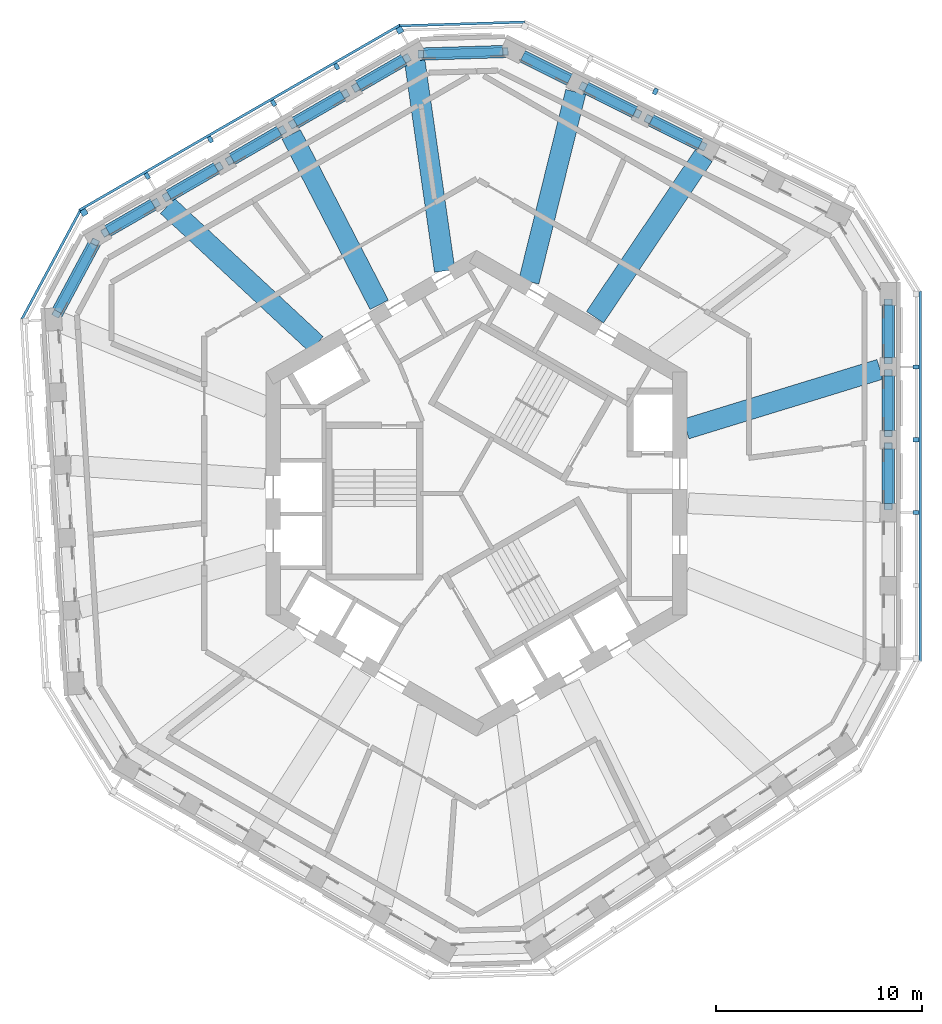
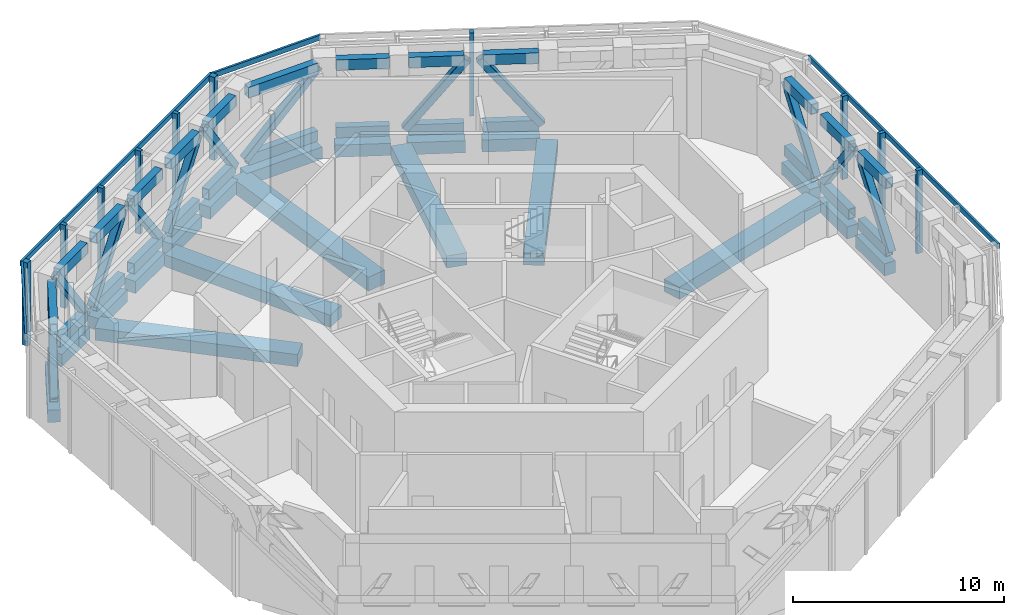
# One storey, part 3 of 14: 52 members, 19 beams, 5 elements without a shape of their own.
"""IFC4 building model written with IfcOpenShell, lengths in metres."""

from ifc_helpers import new_model, si_unit, direction, frame, origin, origin_2d, place, context, subcontext, project, spatial, rectangle, hollow_rectangle, extrude, material, material_profile, profile_set, type_object, element, aggregate, save


model = new_model("IFC4")

# Units and contexts
model_context = context("Model", 3, precision=1e-05, world=origin(), true_north=direction((0.0, 1.0)))
body_context = subcontext(model_context, "Body", "Model", "MODEL_VIEW")
ifc_project = project(units=[si_unit("LENGTHUNIT", "METRE"), si_unit("AREAUNIT", "SQUARE_METRE"), si_unit("VOLUMEUNIT", "CUBIC_METRE"), si_unit("PLANEANGLEUNIT", "RADIAN"), si_unit("MASSUNIT", "GRAM", prefix="KILO")], contexts=[model_context])

# Site, building, storey
site_placement = place(None, origin())
site = spatial("IfcSite", under=ifc_project, at=site_placement, CompositionType="ELEMENT")
building_placement = place(site_placement, origin())
building = spatial("IfcBuilding", under=site, at=building_placement, Name="Vanh Sen Convention Tower", CompositionType="ELEMENT")
storey_placement = place(building_placement, frame((0.0, 0.0, 255.0)))
storey = spatial("IfcBuildingStorey", under=building, at=storey_placement, Name="L63", CompositionType="ELEMENT", Elevation=255.0)

# Members
ifc_material_1 = material(Name="Steel S460", Category="steel")
ifc_material_profile_1 = material_profile(ifc_material_1, hollow_rectangle(XDim=0.39990234375, YDim=0.60009765625, WallThickness=0.030029296875, at=origin_2d()), Name="BOX 600X400X30")
ifc_profile_set_1 = profile_set([ifc_material_profile_1], Name="Steel S460")
member_type_1 = type_object("IfcMemberType", Name="Belt truss chord BOX 600X400X30", PredefinedType="CHORD", material=ifc_profile_set_1)
for number, where, z_axis, x_axis, name in (
    (1, (19.949951171875, -0.490478515625, 0.300048828125), (0.0, 1.0, 0.0), (-1.0, 0.0, 0.0), "BELT TRUSS chord bottom 03 L63"),
    (2, (19.949951171875, -0.490478515625, 4.199951171875), (0.0, 1.0, 0.0), (-1.0, 0.0, 0.0), "BELT TRUSS chord top 03 L63"),
    (3, (19.949951171875, 3.043212890625, 0.300048828125), (0.0, 1.0, 0.0), (-1.0, 0.0, 0.0), "BELT TRUSS chord bottom 04 L63"),
    (4, (19.949951171875, 3.043212890625, 4.199951171875), (0.0, 1.0, 0.0), (-1.0, 0.0, 0.0), "BELT TRUSS chord top 04 L63"),
):
    element("IfcMember", number, at=place(storey_placement, frame(where, z_axis=z_axis, x_axis=x_axis)), inside=storey, type_object=member_type_1, Name=name, PredefinedType="CHORD", context=body_context, shape_type="SweptSolid", body=[
        extrude(hollow_rectangle(XDim=0.39990234375, YDim=0.60009765625, WallThickness=0.030029296875, at=origin_2d()), origin(), (0.0, 0.0, 1.0), 2.6435546875),
    ])
for number, where, z_axis, x_axis, name in (
    (5, (19.949951171875, 6.57666015625, 0.300048828125), (0.0, 1.0, 0.0), (-1.0, 0.0, 0.0), "BELT TRUSS chord bottom 05 L63"),
    (6, (19.949951171875, 6.57666015625, 4.199951171875), (0.0, 1.0, 0.0), (-1.0, 0.0, 0.0), "BELT TRUSS chord top 05 L63"),
):
    element("IfcMember", number, at=place(storey_placement, frame(where, z_axis=z_axis, x_axis=x_axis)), inside=storey, type_object=member_type_1, Name=name, PredefinedType="CHORD", context=body_context, shape_type="SweptSolid", body=[
        extrude(hollow_rectangle(XDim=0.39990234375, YDim=0.60009765625, WallThickness=0.030029296875, at=origin_2d()), origin(), (0.0, 0.0, 1.0), 2.543701171875),
    ])
for number, where, z_axis, x_axis, name in (
    (7, (10.82861328125, 16.893310546875, 0.300048828125), (-0.894925303477, 0.446215980436, 0.0), (-0.446215980436, -0.894925303477, 0.0), "BELT TRUSS chord bottom 09 L63"),
    (8, (10.82861328125, 16.893310546875, 4.199951171875), (-0.894925303477, 0.446215980436, 0.0), (-0.446215980436, -0.894925303477, 0.0), "BELT TRUSS chord top 09 L63"),
    (9, (7.666259765625, 18.469970703125, 0.300048828125), (-0.894925303477, 0.446215980436, 0.0), (-0.446215980436, -0.894925303477, 0.0), "BELT TRUSS chord bottom 10 L63"),
    (10, (7.666259765625, 18.469970703125, 4.199951171875), (-0.894925303477, 0.446215980436, 0.0), (-0.446215980436, -0.894925303477, 0.0), "BELT TRUSS chord top 10 L63"),
):
    element("IfcMember", number, at=place(storey_placement, frame(where, z_axis=z_axis, x_axis=x_axis)), inside=storey, type_object=member_type_1, Name=name, PredefinedType="CHORD", context=body_context, shape_type="SweptSolid", body=[
        extrude(hollow_rectangle(XDim=0.39990234375, YDim=0.60009765625, WallThickness=0.030029296875, at=origin_2d()), origin(), (0.0, 0.0, 1.0), 2.643798828125),
    ])
for number, where, z_axis, x_axis, name in (
    (11, (4.50390625, 20.046630859375, 0.300048828125), (-0.894944842666, 0.44617679073, 0.0), (-0.44617679073, -0.894944842666, 0.0), "BELT TRUSS chord bottom 11 L63"),
    (12, (4.50390625, 20.046630859375, 4.199951171875), (-0.894944842666, 0.44617679073, 0.0), (-0.44617679073, -0.894944842666, 0.0), "BELT TRUSS chord top 11 L63"),
):
    element("IfcMember", number, at=place(storey_placement, frame(where, z_axis=z_axis, x_axis=x_axis)), inside=storey, type_object=member_type_1, Name=name, PredefinedType="CHORD", context=body_context, shape_type="SweptSolid", body=[
        extrude(hollow_rectangle(XDim=0.39990234375, YDim=0.60009765625, WallThickness=0.030029296875, at=origin_2d()), origin(), (0.0, 0.0, 1.0), 2.5439453125),
    ])
for number, where, z_axis, x_axis, name in (
    (13, (1.27197265625, 21.410400390625, 0.300048828125), (-0.9995348756, -0.030496433566, 0.0), (0.030496433566, -0.9995348756, 0.0), "BELT TRUSS chord bottom 12 L63"),
    (14, (1.27197265625, 21.410400390625, 4.199951171875), (-0.9995348756, -0.030496433566, 0.0), (0.030496433566, -0.9995348756, 0.0), "BELT TRUSS chord top 12 L63"),
):
    element("IfcMember", number, at=place(storey_placement, frame(where, z_axis=z_axis, x_axis=x_axis)), inside=storey, type_object=member_type_1, Name=name, PredefinedType="CHORD", context=body_context, shape_type="SweptSolid", body=[
        extrude(hollow_rectangle(XDim=0.39990234375, YDim=0.60009765625, WallThickness=0.030029296875, at=origin_2d()), origin(), (0.0, 0.0, 1.0), 3.8505859375),
    ])
for number, where, z_axis, x_axis, name in (
    (15, (-3.516357421875, 21.006103515625, 0.300048828125), (-0.866043336059, -0.499968939103, 0.0), (0.499968939103, -0.866043336059, 0.0), "BELT TRUSS chord bottom 13 L63"),
    (16, (-3.516357421875, 21.006103515625, 4.199951171875), (-0.866043336059, -0.499968939103, 0.0), (0.499968939103, -0.866043336059, 0.0), "BELT TRUSS chord top 13 L63"),
):
    element("IfcMember", number, at=place(storey_placement, frame(where, z_axis=z_axis, x_axis=x_axis)), inside=storey, type_object=member_type_1, Name=name, PredefinedType="CHORD", context=body_context, shape_type="SweptSolid", body=[
        extrude(hollow_rectangle(XDim=0.39990234375, YDim=0.60009765625, WallThickness=0.030029296875, at=origin_2d()), origin(), (0.0, 0.0, 1.0), 2.543701171875),
    ])
for number, where, z_axis, x_axis, name in (
    (17, (-6.489990234375, 19.289306640625, 0.300048828125), (-0.866017944311, -0.500012919964, 0.0), (0.500012919964, -0.866017944311, 0.0), "BELT TRUSS chord bottom 14 L63"),
    (18, (-6.489990234375, 19.289306640625, 4.199951171875), (-0.866017944311, -0.500012919964, 0.0), (0.500012919964, -0.866017944311, 0.0), "BELT TRUSS chord top 14 L63"),
    (19, (-9.55029296875, 17.5224609375, 0.300048828125), (-0.866017944311, -0.500012919964, 0.0), (0.500012919964, -0.866017944311, 0.0), "BELT TRUSS chord bottom 15 L63"),
    (20, (-9.55029296875, 17.5224609375, 4.199951171875), (-0.866017944311, -0.500012919964, 0.0), (0.500012919964, -0.866017944311, 0.0), "BELT TRUSS chord top 15 L63"),
):
    element("IfcMember", number, at=place(storey_placement, frame(where, z_axis=z_axis, x_axis=x_axis)), inside=storey, type_object=member_type_1, Name=name, PredefinedType="CHORD", context=body_context, shape_type="SweptSolid", body=[
        extrude(hollow_rectangle(XDim=0.39990234375, YDim=0.60009765625, WallThickness=0.030029296875, at=origin_2d()), origin(), (0.0, 0.0, 1.0), 2.6435546875),
    ])
for number, where, z_axis, x_axis, name in (
    (21, (-12.6103515625, 15.755615234375, 0.300048828125), (-0.866041031621, -0.499972930816, 0.0), (0.499972930816, -0.866041031621, 0.0), "BELT TRUSS chord bottom 16 L63"),
    (22, (-12.6103515625, 15.755615234375, 4.199951171875), (-0.866041031621, -0.499972930816, 0.0), (0.499972930816, -0.866041031621, 0.0), "BELT TRUSS chord top 16 L63"),
):
    element("IfcMember", number, at=place(storey_placement, frame(where, z_axis=z_axis, x_axis=x_axis)), inside=storey, type_object=member_type_1, Name=name, PredefinedType="CHORD", context=body_context, shape_type="SweptSolid", body=[
        extrude(hollow_rectangle(XDim=0.39990234375, YDim=0.60009765625, WallThickness=0.030029296875, at=origin_2d()), origin(), (0.0, 0.0, 1.0), 2.643798828125),
    ])
for number, where, z_axis, x_axis, name in (
    (23, (-15.670654296875, 13.98876953125, 0.300048828125), (-0.866043336059, -0.499968939103, 0.0), (0.499968939103, -0.866043336059, 0.0), "BELT TRUSS chord bottom 17 L63"),
    (24, (-15.670654296875, 13.98876953125, 4.199951171875), (-0.866043336059, -0.499968939103, 0.0), (0.499968939103, -0.866043336059, 0.0), "BELT TRUSS chord top 17 L63"),
):
    element("IfcMember", number, at=place(storey_placement, frame(where, z_axis=z_axis, x_axis=x_axis)), inside=storey, type_object=member_type_1, Name=name, PredefinedType="CHORD", context=body_context, shape_type="SweptSolid", body=[
        extrude(hollow_rectangle(XDim=0.39990234375, YDim=0.60009765625, WallThickness=0.030029296875, at=origin_2d()), origin(), (0.0, 0.0, 1.0), 2.543701171875),
    ])
for number, where, z_axis, x_axis, name in (
    (25, (-18.5498046875, 12.06396484375, 0.300048828125), (-0.473323254659, -0.880888810577, 0.0), (0.880888810577, -0.473323254659, 0.0), "BELT TRUSS chord bottom 18 L63"),
    (26, (-18.5498046875, 12.06396484375, 4.199951171875), (-0.473323254659, -0.880888810577, 0.0), (0.880888810577, -0.473323254659, 0.0), "BELT TRUSS chord top 18 L63"),
):
    element("IfcMember", number, at=place(storey_placement, frame(where, z_axis=z_axis, x_axis=x_axis)), inside=storey, type_object=member_type_1, Name=name, PredefinedType="CHORD", context=body_context, shape_type="SweptSolid", body=[
        extrude(hollow_rectangle(XDim=0.39990234375, YDim=0.60009765625, WallThickness=0.030029296875, at=origin_2d()), origin(), (0.0, 0.0, 1.0), 3.694091796875),
    ])
ifc_material_2 = material(Name="Steel S355", Category="steel")
ifc_material_profile_2 = material_profile(ifc_material_2, hollow_rectangle(XDim=0.39990234375, YDim=0.39990234375, WallThickness=0.01611328125, InnerFilletRadius=0.01611328125, OuterFilletRadius=0.031982421875, at=origin_2d()), Name="SHS 400X400X16")
ifc_profile_set_2 = profile_set([ifc_material_profile_2], Name="Steel S355")
member_type_2 = type_object("IfcMemberType", Name="Belt truss diagonal SHS 400X400X16", PredefinedType="BRACE", material=ifc_profile_set_2)
for number, where, z_axis, x_axis, name in (
    (27, (19.949951171875, -0.638671875, 0.300048828125), (0.0, 0.601965746511, 0.798521909547), (-1.0, 0.0, 0.0), "BELT TRUSS diagonal 03 L63"),
    (28, (19.949951171875, 2.89501953125, 4.199951171875), (0.0, 0.601965746511, -0.798521909547), (-1.0, 0.0, 0.0), "BELT TRUSS diagonal 04 L63"),
):
    element("IfcMember", number, at=place(storey_placement, frame(where, z_axis=z_axis, x_axis=x_axis)), inside=storey, type_object=member_type_2, Name=name, PredefinedType="BRACE", context=body_context, shape_type="SweptSolid", body=[
        extrude(hollow_rectangle(XDim=0.39990234375, YDim=0.39990234375, WallThickness=0.01611328125, InnerFilletRadius=0.01611328125, OuterFilletRadius=0.031982421875, at=origin_2d()), origin(), (0.0, 0.0, 1.0), 4.8837890625),
    ])
member_1_placement = place(storey_placement, frame((19.949951171875, 6.428466796875, 0.300048828125), z_axis=(0.0, 0.588686106772, 0.80836171835), x_axis=(-1.0, 0.0, 0.0)))
element("IfcMember", 29, at=member_1_placement, inside=storey, type_object=member_type_2, Name="BELT TRUSS diagonal 05 L63", PredefinedType="BRACE", context=body_context, shape_type="SweptSolid", body=[
    extrude(hollow_rectangle(XDim=0.39990234375, YDim=0.39990234375, WallThickness=0.01611328125, InnerFilletRadius=0.01611328125, OuterFilletRadius=0.031982421875, at=origin_2d()), origin(), (0.0, 0.0, 1.0), 4.824462890625),
])
for number, where, z_axis, x_axis, name in (
    (30, (10.961181640625, 16.8271484375, 0.300048828125), (-0.538727767109, 0.268589059356, 0.798518822659), (-0.446183580836, -0.894941457411, 0.0), "BELT TRUSS diagonal 09 L63"),
    (31, (7.798828125, 18.40380859375, 4.199951171875), (-0.538756012453, 0.268628206617, -0.798486597042), (-0.446216927397, -0.894924831315, 0.0), "BELT TRUSS diagonal 10 L63"),
):
    element("IfcMember", number, at=place(storey_placement, frame(where, z_axis=z_axis, x_axis=x_axis)), inside=storey, type_object=member_type_2, Name=name, PredefinedType="BRACE", context=body_context, shape_type="SweptSolid", body=[
        extrude(hollow_rectangle(XDim=0.39990234375, YDim=0.39990234375, WallThickness=0.01611328125, InnerFilletRadius=0.01611328125, OuterFilletRadius=0.031982421875, at=origin_2d()), origin(), (0.0, 0.0, 1.0), 4.884033203125),
    ])
member_2_placement = place(storey_placement, frame((1.398193359375, 21.414306640625, 4.199951171875), z_axis=(-0.724479446583, -0.022125131331, -0.688941223939), x_axis=(0.030525118585, -0.99953399999, 0.0)))
element("IfcMember", 32, at=member_2_placement, inside=storey, type_object=member_type_2, Name="BELT TRUSS diagonal 12 L63", PredefinedType="BRACE", context=body_context, shape_type="SweptSolid", body=[
    extrude(hollow_rectangle(XDim=0.39990234375, YDim=0.39990234375, WallThickness=0.01611328125, InnerFilletRadius=0.01611328125, OuterFilletRadius=0.031982421875, at=origin_2d()), origin(), (0.0, 0.0, 1.0), 5.66064453125),
])
member_3_placement = place(storey_placement, frame((-3.387939453125, 21.080078125, 0.300048828125), z_axis=(-0.509840637374, -0.294315945109, 0.808356758453), x_axis=(0.49994816717, -0.866055327414, 0.0)))
element("IfcMember", 33, at=member_3_placement, inside=storey, type_object=member_type_2, Name="BELT TRUSS diagonal 13 L63", PredefinedType="BRACE", context=body_context, shape_type="SweptSolid", body=[
    extrude(hollow_rectangle(XDim=0.39990234375, YDim=0.39990234375, WallThickness=0.01611328125, InnerFilletRadius=0.01611328125, OuterFilletRadius=0.031982421875, at=origin_2d()), origin(), (0.0, 0.0, 1.0), 4.824462890625),
])
for number, where, z_axis, x_axis, name in (
    (34, (-6.361572265625, 19.36328125, 4.199951171875), (-0.521329353584, -0.300980346911, -0.798515207034), (0.499988418424, -0.866032090307, 0.0), "BELT TRUSS diagonal 14 L63"),
    (35, (-9.421875, 17.5966796875, 0.300048828125), (-0.521329353584, -0.300980346911, 0.798515207034), (0.499988418424, -0.866032090307, 0.0), "BELT TRUSS diagonal 15 L63"),
    (36, (-12.48193359375, 15.829833984375, 4.199951171875), (-0.52135791023, -0.301017961209, -0.798482383319), (0.50001473959, -0.866016893711, 0.0), "BELT TRUSS diagonal 16 L63"),
):
    element("IfcMember", number, at=place(storey_placement, frame(where, z_axis=z_axis, x_axis=x_axis)), inside=storey, type_object=member_type_2, Name=name, PredefinedType="BRACE", context=body_context, shape_type="SweptSolid", body=[
        extrude(hollow_rectangle(XDim=0.39990234375, YDim=0.39990234375, WallThickness=0.01611328125, InnerFilletRadius=0.01611328125, OuterFilletRadius=0.031982421875, at=origin_2d()), origin(), (0.0, 0.0, 1.0), 4.884033203125),
    ])
member_4_placement = place(storey_placement, frame((-15.542236328125, 14.06298828125, 0.300048828125), z_axis=(-0.509833043467, -0.294362165146, 0.808344718248), x_axis=(0.500012638089, -0.866018107057, 0.0)))
element("IfcMember", 37, at=member_4_placement, inside=storey, type_object=member_type_2, Name="BELT TRUSS diagonal 17 L63", PredefinedType="BRACE", context=body_context, shape_type="SweptSolid", body=[
    extrude(hollow_rectangle(XDim=0.39990234375, YDim=0.39990234375, WallThickness=0.01611328125, InnerFilletRadius=0.01611328125, OuterFilletRadius=0.031982421875, at=origin_2d()), origin(), (0.0, 0.0, 1.0), 4.824462890625),
])
member_5_placement = place(storey_placement, frame((-18.48828125, 12.1787109375, 4.199951171875), z_axis=(-0.336983455339, -0.627195400571, -0.702188066212), x_axis=(0.880902912427, -0.473297009158, 0.0)))
element("IfcMember", 38, at=member_5_placement, inside=storey, type_object=member_type_2, Name="BELT TRUSS diagonal 18 L63", PredefinedType="BRACE", context=body_context, shape_type="SweptSolid", body=[
    extrude(hollow_rectangle(XDim=0.39990234375, YDim=0.39990234375, WallThickness=0.01611328125, InnerFilletRadius=0.01611328125, OuterFilletRadius=0.031982421875, at=origin_2d()), origin(), (0.0, 0.0, 1.0), 5.553955078125),
])

# Curtain wall, members
ifc_material_3 = material(Name="Concrete C50/60", Category="concrete")
curtain_wall_type = type_object("IfcCurtainWallType", Name="Outer skin office zone", PredefinedType="NOTDEFINED", material=ifc_material_3)
curtain_wall_1_placement = place(storey_placement, origin())
curtain_wall_1 = element("IfcCurtainWall", 39, at=curtain_wall_1_placement, inside=storey, type_object=curtain_wall_type, Name="OUTER SKIN NW L63", PredefinedType="NOTDEFINED")
ifc_material_profile_3 = material_profile(ifc_material_3, rectangle(XDim=0.300048828125, YDim=0.300048828125, at=origin_2d()), Name="Outer skin precast corner fin 300 x 300")
ifc_profile_set_3 = profile_set([ifc_material_profile_3], Name="Concrete C50/60")
member_type_3 = type_object("IfcMemberType", Name="Outer skin precast corner fin 300 x 300", PredefinedType="MULLION", material=ifc_profile_set_3)
member_6_placement = place(storey_placement, frame((-3.719482421875, 22.44775390625, 0.0), z_axis=(0.0, 0.0, 1.0), x_axis=(-0.866025403784, -0.5, 0.0)))
member_6 = element("IfcMember", 40, at=member_6_placement, type_object=member_type_3, Name="OUTER SKIN CORNER FIN 1 NW L63", PredefinedType="MULLION", context=body_context, shape_type="SweptSolid", body=[
    extrude(rectangle(XDim=0.300048828125, YDim=0.300048828125, at=origin_2d()), origin(), (0.0, 0.0, 1.0), 4.800048828125),
])
member_7_placement = place(storey_placement, frame((-19.0205078125, 13.613525390625, 0.0), z_axis=(0.0, 0.0, 1.0), x_axis=(-0.866025403784, -0.5, 0.0)))
member_7 = element("IfcMember", 41, at=member_7_placement, type_object=member_type_3, Name="OUTER SKIN CORNER FIN 6 NW L63", PredefinedType="MULLION", context=body_context, shape_type="SweptSolid", body=[
    extrude(rectangle(XDim=0.300048828125, YDim=0.300048828125, at=origin_2d()), origin(), (0.0, 0.0, 1.0), 4.800048828125),
])

curtain_wall_2_placement = place(storey_placement, origin())
curtain_wall_2 = element("IfcCurtainWall", 42, at=curtain_wall_2_placement, inside=storey, type_object=curtain_wall_type, Name="OUTER SKIN E L63", PredefinedType="NOTDEFINED")
ifc_material_profile_4 = material_profile(ifc_material_3, rectangle(XDim=0.199951171875, YDim=0.300048828125, at=origin_2d()), Name="Outer skin precast fin 200 x 300")
ifc_profile_set_4 = profile_set([ifc_material_profile_4], Name="Concrete C50/60")
member_type_4 = type_object("IfcMemberType", Name="Outer skin precast fin 200 x 300", PredefinedType="MULLION", material=ifc_profile_set_4)
member_8_placement = place(storey_placement, frame((21.300048828125, -0.935546875, 0.0), z_axis=(0.0, 0.0, 1.0), x_axis=(0.0, 1.0, 0.0)))
member_8 = element("IfcMember", 43, at=member_8_placement, type_object=member_type_4, Name="OUTER SKIN fin 3 E L63", PredefinedType="MULLION", context=body_context, shape_type="SweptSolid", body=[
    extrude(rectangle(XDim=0.199951171875, YDim=0.300048828125, at=origin_2d()), origin(), (0.0, 0.0, 1.0), 4.800048828125),
])
member_9_placement = place(storey_placement, frame((21.300048828125, 2.59814453125, 0.0), z_axis=(0.0, 0.0, 1.0), x_axis=(0.0, 1.0, 0.0)))
member_9 = element("IfcMember", 44, at=member_9_placement, type_object=member_type_4, Name="OUTER SKIN fin 4 E L63", PredefinedType="MULLION", context=body_context, shape_type="SweptSolid", body=[
    extrude(rectangle(XDim=0.199951171875, YDim=0.300048828125, at=origin_2d()), origin(), (0.0, 0.0, 1.0), 4.800048828125),
])
member_10_placement = place(storey_placement, frame((21.300048828125, 6.131591796875, 0.0), z_axis=(0.0, 0.0, 1.0), x_axis=(0.0, 1.0, 0.0)))
member_10 = element("IfcMember", 45, at=member_10_placement, type_object=member_type_4, Name="OUTER SKIN fin 5 E L63", PredefinedType="MULLION", context=body_context, shape_type="SweptSolid", body=[
    extrude(rectangle(XDim=0.199951171875, YDim=0.300048828125, at=origin_2d()), origin(), (0.0, 0.0, 1.0), 4.800048828125),
])

# Curtain wall, member
curtain_wall_3_placement = place(storey_placement, origin())
curtain_wall_3 = element("IfcCurtainWall", 46, at=curtain_wall_3_placement, inside=storey, type_object=curtain_wall_type, Name="OUTER SKIN NE L63", PredefinedType="NOTDEFINED")
member_11_placement = place(storey_placement, frame((8.666748046875, 19.4794921875, 0.0), z_axis=(0.0, 0.0, 1.0), x_axis=(-0.894934361602, 0.44619781311, 0.0)))
member_11 = element("IfcMember", 47, at=member_11_placement, type_object=member_type_4, Name="OUTER SKIN fin 4 NE L63", PredefinedType="MULLION", context=body_context, shape_type="SweptSolid", body=[
    extrude(rectangle(XDim=0.199951171875, YDim=0.300048828125, at=origin_2d()), origin(), (0.0, 0.0, 1.0), 4.800048828125),
])
aggregate(curtain_wall_3, [member_11])

# Member
member_12_placement = place(storey_placement, frame((-6.779541015625, 20.680908203125, 0.0), z_axis=(0.0, 0.0, 1.0), x_axis=(-0.866025403784, -0.5, 0.0)))
member_12 = element("IfcMember", 48, at=member_12_placement, type_object=member_type_4, Name="OUTER SKIN fin 2 NW L63", PredefinedType="MULLION", context=body_context, shape_type="SweptSolid", body=[
    extrude(rectangle(XDim=0.199951171875, YDim=0.300048828125, at=origin_2d()), origin(), (0.0, 0.0, 1.0), 4.800048828125),
])

member_13_placement = place(storey_placement, frame((-9.83984375, 18.9140625, 0.0), z_axis=(0.0, 0.0, 1.0), x_axis=(-0.866025403784, -0.5, 0.0)))
member_13 = element("IfcMember", 49, at=member_13_placement, type_object=member_type_4, Name="OUTER SKIN fin 3 NW L63", PredefinedType="MULLION", context=body_context, shape_type="SweptSolid", body=[
    extrude(rectangle(XDim=0.199951171875, YDim=0.300048828125, at=origin_2d()), origin(), (0.0, 0.0, 1.0), 4.800048828125),
])

member_14_placement = place(storey_placement, frame((-12.89990234375, 17.147216796875, 0.0), z_axis=(0.0, 0.0, 1.0), x_axis=(-0.866025403784, -0.5, 0.0)))
member_14 = element("IfcMember", 50, at=member_14_placement, type_object=member_type_4, Name="OUTER SKIN fin 4 NW L63", PredefinedType="MULLION", context=body_context, shape_type="SweptSolid", body=[
    extrude(rectangle(XDim=0.199951171875, YDim=0.300048828125, at=origin_2d()), origin(), (0.0, 0.0, 1.0), 4.800048828125),
])

member_15_placement = place(storey_placement, frame((-15.960205078125, 15.38037109375, 0.0), z_axis=(0.0, 0.0, 1.0), x_axis=(-0.866025403784, -0.5, 0.0)))
member_15 = element("IfcMember", 51, at=member_15_placement, type_object=member_type_4, Name="OUTER SKIN fin 5 NW L63", PredefinedType="MULLION", context=body_context, shape_type="SweptSolid", body=[
    extrude(rectangle(XDim=0.199951171875, YDim=0.300048828125, at=origin_2d()), origin(), (0.0, 0.0, 1.0), 4.800048828125),
])

ifc_material_profile_5 = material_profile(ifc_material_3, rectangle(XDim=0.1201171875, YDim=0.300048828125, at=origin_2d()), Name="Outer skin precast spandrel band 300 x 120")
ifc_profile_set_5 = profile_set([ifc_material_profile_5], Name="Concrete C50/60")
member_type_5 = type_object("IfcMemberType", Name="Outer skin precast spandrel band 300 x 120", PredefinedType="USERDEFINED", material=ifc_profile_set_5)
member_16_placement = place(storey_placement, frame((21.510009765625, -8.15283203125, 4.64990234375), z_axis=(0.0, 1.0, 0.0), x_axis=(-1.0, 0.0, 0.0)))
member_16 = element("IfcMember", 52, at=member_16_placement, type_object=member_type_5, Name="OUTER SKIN spandrel band E L63", ObjectType="TRANSOM", PredefinedType="USERDEFINED", context=body_context, shape_type="SweptSolid", body=[
    extrude(rectangle(XDim=0.1201171875, YDim=0.300048828125, at=origin_2d()), origin(), (0.0, 0.0, 1.0), 17.96826171875),
])

aggregate(curtain_wall_2, [member_8, member_9, member_10, member_16])

# Curtain wall, member
curtain_wall_4_placement = place(storey_placement, origin())
curtain_wall_4 = element("IfcCurtainWall", 53, at=curtain_wall_4_placement, inside=storey, type_object=curtain_wall_type, Name="OUTER SKIN CH2 L63", PredefinedType="NOTDEFINED")
member_17_placement = place(storey_placement, frame((2.335693359375, 22.843017578125, 4.64990234375), z_axis=(-0.999533054911, -0.030556049165, 0.0), x_axis=(0.030556049165, -0.999533054911, 0.0)))
member_17 = element("IfcMember", 54, at=member_17_placement, type_object=member_type_5, Name="OUTER SKIN spandrel band CH2 L63", ObjectType="TRANSOM", PredefinedType="USERDEFINED", context=body_context, shape_type="SweptSolid", body=[
    extrude(rectangle(XDim=0.1201171875, YDim=0.300048828125, at=origin_2d()), origin(), (0.0, 0.0, 1.0), 6.064453125),
])
aggregate(curtain_wall_4, [member_17])

# Member
member_18_placement = place(storey_placement, frame((-3.694580078125, 22.70458984375, 4.64990234375), z_axis=(-0.866022898019, -0.500004340088, 0.0), x_axis=(0.500004340088, -0.866022898019, 0.0)))
member_18 = element("IfcMember", 55, at=member_18_placement, type_object=member_type_5, Name="OUTER SKIN spandrel band NW L63", ObjectType="TRANSOM", PredefinedType="USERDEFINED", context=body_context, shape_type="SweptSolid", body=[
    extrude(rectangle(XDim=0.1201171875, YDim=0.300048828125, at=origin_2d()), origin(), (0.0, 0.0, 1.0), 17.968017578125),
])

aggregate(curtain_wall_1, [member_6, member_12, member_13, member_14, member_15, member_7, member_18])

# Curtain wall, member
curtain_wall_5_placement = place(storey_placement, origin())
curtain_wall_5 = element("IfcCurtainWall", 56, at=curtain_wall_5_placement, inside=storey, type_object=curtain_wall_type, Name="OUTER SKIN CH3 L63", PredefinedType="NOTDEFINED")
member_19_placement = place(storey_placement, frame((-19.20556640625, 13.712890625, 4.64990234375), z_axis=(-0.473317965247, -0.880891652688, 0.0), x_axis=(0.880891652688, -0.473317965247, 0.0)))
member_19 = element("IfcMember", 57, at=member_19_placement, type_object=member_type_5, Name="OUTER SKIN spandrel band CH3 L63", ObjectType="TRANSOM", PredefinedType="USERDEFINED", context=body_context, shape_type="SweptSolid", body=[
    extrude(rectangle(XDim=0.1201171875, YDim=0.300048828125, at=origin_2d()), origin(), (0.0, 0.0, 1.0), 5.978759765625),
])
aggregate(curtain_wall_5, [member_19])

# Beams
ifc_material_4 = material(Name="Concrete C50/60", Category="concrete")
ifc_material_profile_6 = material_profile(ifc_material_4, rectangle(XDim=1.0, YDim=0.699951171875, at=origin_2d()), Name="RC 1000X700")
ifc_profile_set_6 = profile_set([ifc_material_profile_6], Name="Concrete C50/60")
beam_type_1 = type_object("IfcBeamType", Name="Radial floor beam 1000 x 700", PredefinedType="BEAM", material=ifc_profile_set_6)
beam_1_placement = place(storey_placement, frame((19.5546875, 6.01025390625, -0.699951171875), z_axis=(-0.955870153011, -0.293789466427, 0.0), x_axis=(0.293789466427, -0.955870153011, 0.0)))
element("IfcBeam", 58, at=beam_1_placement, inside=storey, type_object=beam_type_1, Name="Radial beam 03 L63", PredefinedType="BEAM", context=body_context, shape_type="SweptSolid", body=[
    extrude(rectangle(XDim=1.0, YDim=0.699951171875, at=origin_2d()), origin(), (0.0, 0.0, 1.0), 9.8408203125),
])
beam_2_placement = place(storey_placement, frame((11.00439453125, 16.364013671875, -0.699951171875), z_axis=(-0.558039679055, -0.829814266327, 0.0), x_axis=(0.829814266327, -0.558039679055, 0.0)))
element("IfcBeam", 59, at=beam_2_placement, inside=storey, type_object=beam_type_1, Name="Radial beam 05 L63", PredefinedType="BEAM", context=body_context, shape_type="SweptSolid", body=[
    extrude(rectangle(XDim=1.0, YDim=0.699951171875, at=origin_2d()), origin(), (0.0, 0.0, 1.0), 9.43505859375),
])
beam_3_placement = place(storey_placement, frame((4.804931640625, 19.455078125, -0.699951171875), z_axis=(-0.239773844328, -0.970828771502, 0.0), x_axis=(0.970828771502, -0.239773844328, 0.0)))
element("IfcBeam", 60, at=beam_3_placement, inside=storey, type_object=beam_type_1, Name="Radial beam 06 L63", PredefinedType="BEAM", context=body_context, shape_type="SweptSolid", body=[
    extrude(rectangle(XDim=1.0, YDim=0.699951171875, at=origin_2d()), origin(), (0.0, 0.0, 1.0), 9.46728515625),
])
beam_4_placement = place(storey_placement, frame((-8.9833984375, 17.393798828125, -0.699951171875), z_axis=(0.45889115039, -0.888492494112, 0.0), x_axis=(0.888492494112, 0.45889115039, 0.0)))
element("IfcBeam", 61, at=beam_4_placement, inside=storey, type_object=beam_type_1, Name="Radial beam 08 L63", PredefinedType="BEAM", context=body_context, shape_type="SweptSolid", body=[
    extrude(rectangle(XDim=1.0, YDim=0.699951171875, at=origin_2d()), origin(), (0.0, 0.0, 1.0), 9.2939453125),
])
beam_5_placement = place(storey_placement, frame((-14.982421875, 13.9296875, -0.699951171875), z_axis=(0.732365678179, -0.680911531277, 0.0), x_axis=(0.680911531277, 0.732365678179, 0.0)))
element("IfcBeam", 62, at=beam_5_placement, inside=storey, type_object=beam_type_1, Name="Radial beam 09 L63", PredefinedType="BEAM", context=body_context, shape_type="SweptSolid", body=[
    extrude(rectangle(XDim=1.0, YDim=0.699951171875, at=origin_2d()), origin(), (0.0, 0.0, 1.0), 9.8408203125),
])
ifc_material_profile_7 = material_profile(ifc_material_4, rectangle(XDim=1.0, YDim=0.800048828125, at=origin_2d()), Name="RC 1000X800")
ifc_profile_set_7 = profile_set([ifc_material_profile_7], Name="Concrete C50/60")
beam_type_2 = type_object("IfcBeamType", Name="Radial floor beam 1000 x 800", PredefinedType="BEAM", material=ifc_profile_set_7)
beam_6_placement = place(storey_placement, frame((-3.031494140625, 21.18798828125, -0.75), z_axis=(0.141632710453, -0.989919277179, 0.0), x_axis=(0.989919277179, 0.141632710453, 0.0)))
element("IfcBeam", 63, at=beam_6_placement, inside=storey, type_object=beam_type_2, Name="Radial beam 07 L63", PredefinedType="BEAM", context=body_context, shape_type="SweptSolid", body=[
    extrude(rectangle(XDim=1.0, YDim=0.800048828125, at=origin_2d()), origin(), (0.0, 0.0, 1.0), 10.511474609375),
])
ifc_material_profile_8 = material_profile(ifc_material_4, rectangle(XDim=0.60009765625, YDim=0.699951171875, at=origin_2d()), Name="RC 600X700")
ifc_profile_set_8 = profile_set([ifc_material_profile_8], Name="Concrete C50/60")
beam_type_3 = type_object("IfcBeamType", Name="Spandrel beam 600 x 700", PredefinedType="SPANDREL", material=ifc_profile_set_8)
for number, where, z_axis, x_axis, name in (
    (64, (19.949951171875, -0.54052734375, -0.699951171875), (0.0, 1.0, 0.0), (-1.0, 0.0, 0.0), "Spandrel beam 03 L63"),
    (65, (19.949951171875, 2.9931640625, -0.699951171875), (0.0, 1.0, 0.0), (-1.0, 0.0, 0.0), "Spandrel beam 04 L63"),
):
    element("IfcBeam", number, at=place(storey_placement, frame(where, z_axis=z_axis, x_axis=x_axis)), inside=storey, type_object=beam_type_3, Name=name, PredefinedType="SPANDREL", context=body_context, shape_type="SweptSolid", body=[
        extrude(rectangle(XDim=0.60009765625, YDim=0.699951171875, at=origin_2d()), origin(), (0.0, 0.0, 1.0), 2.74365234375),
    ])
beam_7_placement = place(storey_placement, frame((19.949951171875, 6.526611328125, -0.699951171875), z_axis=(0.0, 1.0, 0.0), x_axis=(-1.0, 0.0, 0.0)))
element("IfcBeam", 66, at=beam_7_placement, inside=storey, type_object=beam_type_3, Name="Spandrel beam 05 L63", PredefinedType="SPANDREL", context=body_context, shape_type="SweptSolid", body=[
    extrude(rectangle(XDim=0.60009765625, YDim=0.699951171875, at=origin_2d()), origin(), (0.0, 0.0, 1.0), 2.643798828125),
])
for number, where, z_axis, x_axis, name in (
    (67, (10.873291015625, 16.87109375, -0.699951171875), (-0.894942720211, 0.446181047941, 0.0), (-0.446181047941, -0.894942720211, 0.0), "Spandrel beam 09 L63"),
    (68, (7.7109375, 18.44775390625, -0.699951171875), (-0.894942720211, 0.446181047941, 0.0), (-0.446181047941, -0.894942720211, 0.0), "Spandrel beam 10 L63"),
):
    element("IfcBeam", number, at=place(storey_placement, frame(where, z_axis=z_axis, x_axis=x_axis)), inside=storey, type_object=beam_type_3, Name=name, PredefinedType="SPANDREL", context=body_context, shape_type="SweptSolid", body=[
        extrude(rectangle(XDim=0.60009765625, YDim=0.699951171875, at=origin_2d()), origin(), (0.0, 0.0, 1.0), 2.74365234375),
    ])
beam_8_placement = place(storey_placement, frame((4.548583984375, 20.0244140625, -0.699951171875), z_axis=(-0.894962178475, 0.446142016738, 0.0), x_axis=(-0.446142016738, -0.894962178475, 0.0)))
element("IfcBeam", 69, at=beam_8_placement, inside=storey, type_object=beam_type_3, Name="Spandrel beam 11 L63", PredefinedType="SPANDREL", context=body_context, shape_type="SweptSolid", body=[
    extrude(rectangle(XDim=0.60009765625, YDim=0.699951171875, at=origin_2d()), origin(), (0.0, 0.0, 1.0), 2.6435546875),
])
beam_9_placement = place(storey_placement, frame((1.4580078125, 21.416259765625, -0.699951171875), z_axis=(-0.999532171157, -0.030584944386, 0.0), x_axis=(0.030584944386, -0.999532171157, 0.0)))
element("IfcBeam", 70, at=beam_9_placement, inside=storey, type_object=beam_type_3, Name="Spandrel beam 12 L63", PredefinedType="SPANDREL", context=body_context, shape_type="SweptSolid", body=[
    extrude(rectangle(XDim=0.60009765625, YDim=0.699951171875, at=origin_2d()), origin(), (0.0, 0.0, 1.0), 4.22265625),
])
beam_10_placement = place(storey_placement, frame((-3.47314453125, 21.031005859375, -0.699951171875), z_axis=(-0.866017944311, -0.500012919964, 0.0), x_axis=(0.500012919964, -0.866017944311, 0.0)))
element("IfcBeam", 71, at=beam_10_placement, inside=storey, type_object=beam_type_3, Name="Spandrel beam 13 L63", PredefinedType="SPANDREL", context=body_context, shape_type="SweptSolid", body=[
    extrude(rectangle(XDim=0.60009765625, YDim=0.699951171875, at=origin_2d()), origin(), (0.0, 0.0, 1.0), 2.6435546875),
])
for number, where, z_axis, x_axis, name in (
    (72, (-6.44677734375, 19.314208984375, -0.699951171875), (-0.866016649877, -0.500015161905, 0.0), (0.500015161905, -0.866016649877, 0.0), "Spandrel beam 14 L63"),
    (73, (-9.5068359375, 17.547607421875, -0.699951171875), (-0.866016649877, -0.500015161905, 0.0), (0.500015161905, -0.866016649877, 0.0), "Spandrel beam 15 L63"),
    (74, (-12.567138671875, 15.78076171875, -0.699951171875), (-0.865978115955, -0.500081895979, 0.0), (0.500081895979, -0.865978115955, 0.0), "Spandrel beam 16 L63"),
):
    element("IfcBeam", number, at=place(storey_placement, frame(where, z_axis=z_axis, x_axis=x_axis)), inside=storey, type_object=beam_type_3, Name=name, PredefinedType="SPANDREL", context=body_context, shape_type="SweptSolid", body=[
        extrude(rectangle(XDim=0.60009765625, YDim=0.699951171875, at=origin_2d()), origin(), (0.0, 0.0, 1.0), 2.74365234375),
    ])
beam_11_placement = place(storey_placement, frame((-15.627197265625, 14.013916015625, -0.699951171875), z_axis=(-0.866001044215, -0.500042189638, 0.0), x_axis=(0.500042189638, -0.866001044215, 0.0)))
element("IfcBeam", 75, at=beam_11_placement, inside=storey, type_object=beam_type_3, Name="Spandrel beam 17 L63", PredefinedType="SPANDREL", context=body_context, shape_type="SweptSolid", body=[
    extrude(rectangle(XDim=0.60009765625, YDim=0.699951171875, at=origin_2d()), origin(), (0.0, 0.0, 1.0), 2.643798828125),
])
beam_12_placement = place(storey_placement, frame((-18.473388671875, 12.206298828125, -0.699951171875), z_axis=(-0.473298708048, -0.880901999635, 0.0), x_axis=(0.880901999635, -0.473298708048, 0.0)))
element("IfcBeam", 76, at=beam_12_placement, inside=storey, type_object=beam_type_3, Name="Spandrel beam 18 L63", PredefinedType="SPANDREL", context=body_context, shape_type="SweptSolid", body=[
    extrude(rectangle(XDim=0.60009765625, YDim=0.699951171875, at=origin_2d()), origin(), (0.0, 0.0, 1.0), 4.017333984375),
])

save(model, "model.ifc")
